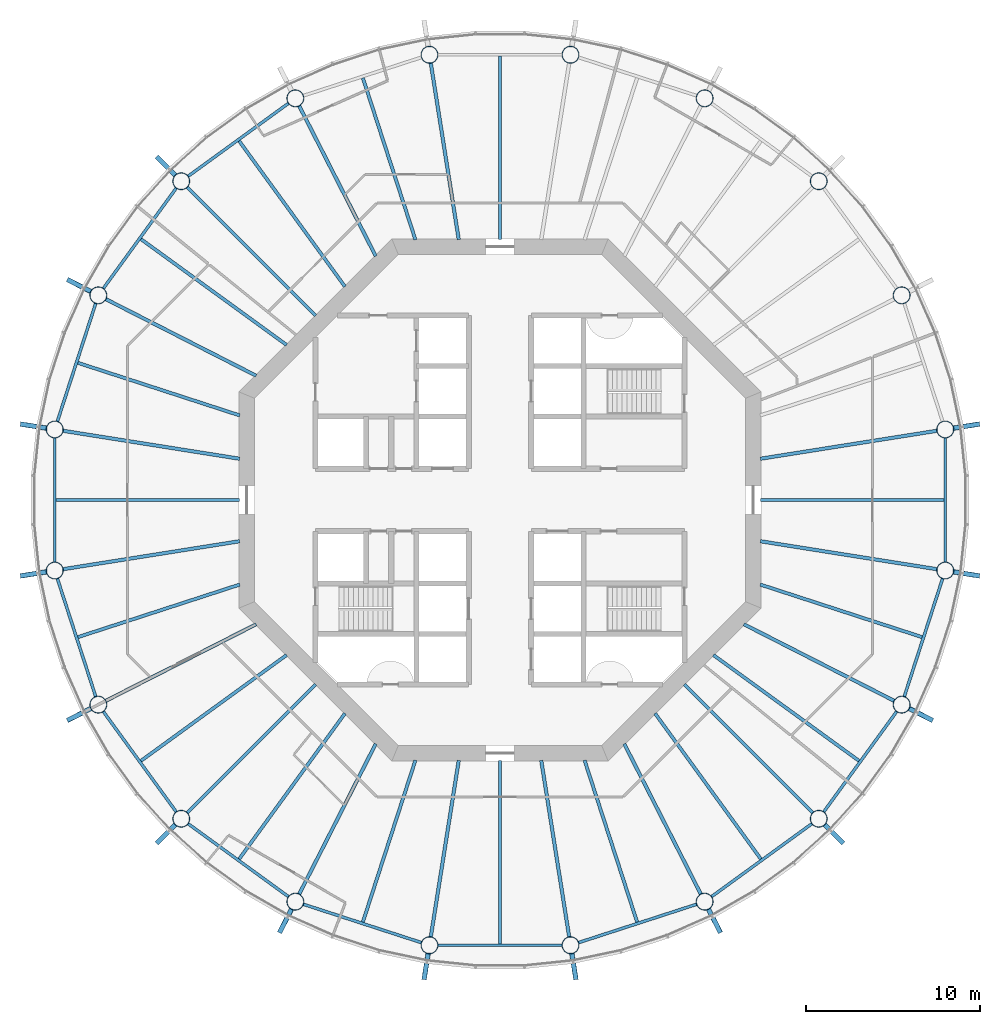
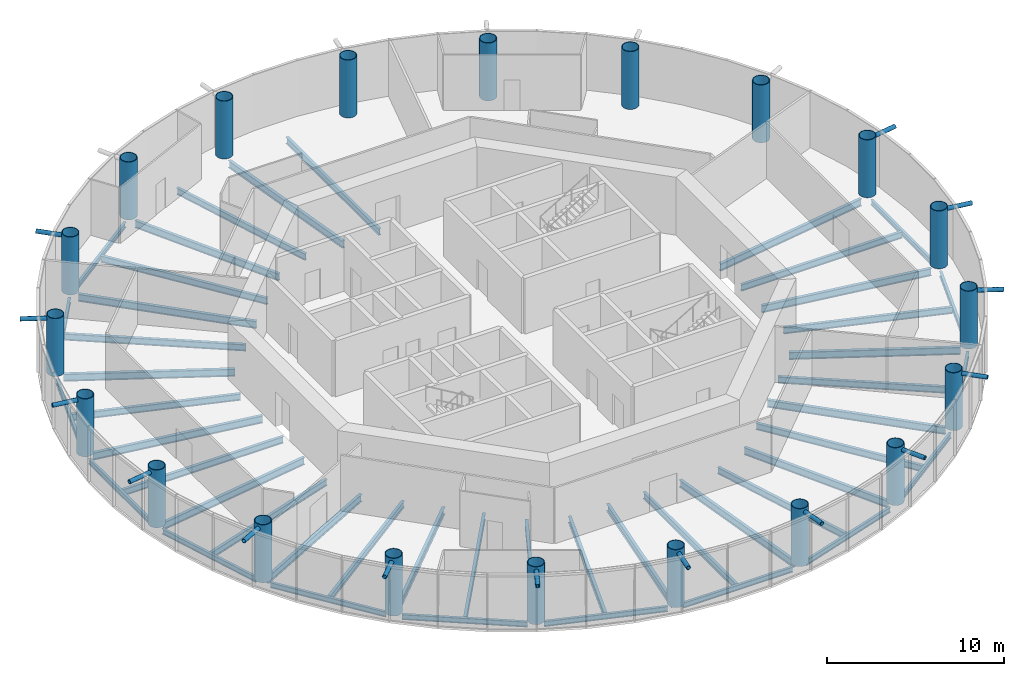
# One storey, part 1 of 12: 46 beams, 20 columns, 14 members.
"""IFC4 building model written with IfcOpenShell, lengths in metres."""

import ifcopenshell
import ifcopenshell.guid

model = None  # the IFC model being written
_history = None  # IfcOwnerHistory: only IFC2X3 demands one
_inside = {}  # id of a spatial element -> (the spatial element, [elements in it])
_under = {}  # id of a project, library or spatial element -> (it, [spatial elements below it])
_declared = {}  # id of a project -> (the project, [libraries it declares])
_typed = {}  # id of a type object -> (the type object, [elements of that type])
_made_of = {}  # id of a material, layer set ... -> (it, [elements and type objects made of it])


def new_model(schema):
    """Start an empty IFC model of exactly this schema.

    Asked for "IFC4X3", IfcOpenShell would pick the latest addendum, in which some entities
    have other attributes; the version numbers below select the first issue.
    IFC2X3 requires an IfcOwnerHistory on every rooted entity: one is made here for all.
    """
    global model, _history
    if schema == "IFC4X3":
        model = ifcopenshell.file(schema_version=(4, 3, 0, 0))
    else:
        model = ifcopenshell.file(schema=schema)
    _inside.clear()
    _under.clear()
    _declared.clear()
    _typed.clear()
    _made_of.clear()
    _history = None
    if model.schema == "IFC2X3":
        org = make("IfcOrganization", Name="unknown")
        user = make(
            "IfcPersonAndOrganization",
            ThePerson=make("IfcPerson", FamilyName="unknown"),
            TheOrganization=org,
        )
        app = make(
            "IfcApplication",
            ApplicationDeveloper=org,
            Version="unknown",
            ApplicationFullName="unknown",
            ApplicationIdentifier="unknown",
        )
        _history = make(
            "IfcOwnerHistory",
            OwningUser=user,
            OwningApplication=app,
            ChangeAction="ADDED",
            CreationDate=0,
        )
    return model


def make(cls, **values):
    """One entity of the class cls with the attributes given. An attribute that is None is left unset."""
    return model.create_entity(
        cls, **{name: value for name, value in values.items() if value is not None}
    )


def rooted(cls, **values):
    """An entity with a GlobalId (a new one), such as an element, a storey or a relation."""
    return make(cls, GlobalId=ifcopenshell.guid.new(), OwnerHistory=_history, **values)


def si_unit(unit_type, name, prefix=None):
    """IfcSIUnit, for example si_unit("LENGTHUNIT", "METRE", prefix="MILLI")."""
    return make("IfcSIUnit", UnitType=unit_type, Prefix=prefix, Name=name)


def assignment(units):
    """IfcUnitAssignment: the units of a project."""
    return None if units is None else make("IfcUnitAssignment", Units=units)


def point(xyz):
    """IfcCartesianPoint."""
    return None if xyz is None else make("IfcCartesianPoint", Coordinates=xyz)


def direction(xyz):
    """IfcDirection."""
    return None if xyz is None else make("IfcDirection", DirectionRatios=xyz)


def frame(location, z_axis=None, x_axis=None):
    """IfcAxis2Placement3D, a coordinate frame: its origin and axes. An axis left out is left unset."""
    return make(
        "IfcAxis2Placement3D",
        Location=point(location),
        Axis=direction(z_axis),
        RefDirection=direction(x_axis),
    )


def frame_2d(location, x_axis=None):
    """IfcAxis2Placement2D, a coordinate frame in the plane: its origin and x axis."""
    return make(
        "IfcAxis2Placement2D", Location=point(location), RefDirection=direction(x_axis)
    )


def origin():
    """The frame at (0, 0, 0) with its axes left unset."""
    return frame((0.0, 0.0, 0.0))


def origin_2d():
    """The frame at (0, 0) in the plane with its x axis left unset."""
    return frame_2d((0.0, 0.0))


def place(relative_to, where):
    """IfcLocalPlacement: puts the frame where relative to a parent placement (None: the world)."""
    return make(
        "IfcLocalPlacement", PlacementRelTo=relative_to, RelativePlacement=where
    )


def context(
    kind, dimensions, precision=None, world=None, true_north=None, identifier=None
):
    """IfcGeometricRepresentationContext, for example the 3D "Model" context."""
    return make(
        "IfcGeometricRepresentationContext",
        ContextIdentifier=identifier,
        ContextType=kind,
        CoordinateSpaceDimension=dimensions,
        Precision=precision,
        WorldCoordinateSystem=world,
        TrueNorth=true_north,
    )


def subcontext(parent, identifier, kind, view, scale=None):
    """IfcGeometricRepresentationSubContext, for example "Body" below "Model"."""
    return make(
        "IfcGeometricRepresentationSubContext",
        ContextIdentifier=identifier,
        ContextType=kind,
        ParentContext=parent,
        TargetScale=scale,
        TargetView=view,
    )


def project(units=None, contexts=None):
    """IfcProject with its units and contexts."""
    return rooted(
        "IfcProject",
        Name="project",
        RepresentationContexts=contexts,
        UnitsInContext=assignment(units),
    )


def spatial(cls, under=None, at=None, **own):
    """A site, building, storey or space (cls), placed at a placement, below another one or the project."""
    s = rooted(cls, ObjectPlacement=at, **own)
    if under is not None:
        _under.setdefault(under.id(), (under, []))[1].append(s)
    return s


def profile(cls, at=None, kind="AREA", **sizes):
    """A parametric profile (cls). Its sizes go by their IFC names, for example OverallWidth=200.0."""
    return make(cls, ProfileType=kind, Position=at, **sizes)


def circle(**sizes):
    """IfcCircleProfileDef."""
    return profile("IfcCircleProfileDef", **sizes)


def hollow_circle(**sizes):
    """IfcCircleHollowProfileDef."""
    return profile("IfcCircleHollowProfileDef", **sizes)


def i_section(**sizes):
    """IfcIShapeProfileDef."""
    return profile("IfcIShapeProfileDef", **sizes)


def extrude(swept, where, along, depth):
    """IfcExtrudedAreaSolid: the profile swept, set in the frame where, extruded along a direction by depth."""
    return make(
        "IfcExtrudedAreaSolid",
        SweptArea=swept,
        Position=where,
        ExtrudedDirection=direction(along),
        Depth=depth,
    )


def shape(context_of_items, identifier, shape_type, items):
    """IfcShapeRepresentation: the items that make up one representation, for example the "Body"."""
    return make(
        "IfcShapeRepresentation",
        ContextOfItems=context_of_items,
        RepresentationIdentifier=identifier,
        RepresentationType=shape_type,
        Items=items,
    )


def material(Name=None, Category=None):
    """IfcMaterial."""
    return make("IfcMaterial", Name=Name, Category=Category)


def material_profile(
    of_material, cross_section, Name=None, Category=None, Priority=None
):
    """IfcMaterialProfile: a cross section and its material."""
    return make(
        "IfcMaterialProfile",
        Name=Name,
        Material=of_material,
        Profile=cross_section,
        Priority=Priority,
        Category=Category,
    )


def profile_set(profiles, Name=None, composite=None):
    """IfcMaterialProfileSet."""
    return make(
        "IfcMaterialProfileSet",
        Name=Name,
        MaterialProfiles=profiles,
        CompositeProfile=composite,
    )


def made_of(thing, what):
    """Note that an element or type object is made of a material, layer set ...; save() writes the relation."""
    if what is not None:
        _made_of.setdefault(what.id(), (what, []))[1].append(thing)
    return thing


def type_object(cls, material=None, **own):
    """A type object (cls), such as IfcWallType, which elements share."""
    return made_of(rooted(cls, **own), material)


def element(
    cls,
    number,
    at=None,
    inside=None,
    cuts=None,
    type_object=None,
    material=None,
    context=None,
    identifier="Body",
    shape_type=None,
    held_by="IfcProductDefinitionShape",
    body=None,
    shapes=None,
    **own,
):
    """One element of the class cls, such as IfcWall. Its Tag is "e" and its number.

    at: its placement. inside: the storey or other place that contains it. cuts: it is an
    opening in that element (IfcRelVoidsElement). A single representation is given by context,
    identifier, shape_type and body (its items); several are given by shapes. held_by: the class
    of the entity that holds the representations. save() writes the other relations.
    """
    e = rooted(cls, Tag="e%d" % number, ObjectPlacement=at, **own)
    if body is not None:
        shapes = [shape(context, identifier, shape_type, body)]
    if shapes is not None:
        e.Representation = make(held_by, Representations=shapes)
    if inside is not None:
        _inside.setdefault(inside.id(), (inside, []))[1].append(e)
    if cuts is not None:
        rooted(
            "IfcRelVoidsElement", RelatingBuildingElement=cuts, RelatedOpeningElement=e
        )
    if type_object is not None:
        _typed.setdefault(type_object.id(), (type_object, []))[1].append(e)
    return made_of(e, material)


def aggregate(whole, parts):
    """IfcRelAggregates: a whole, such as a stair, and the parts it consists of."""
    return rooted("IfcRelAggregates", RelatingObject=whole, RelatedObjects=parts)


def save(model, path):
    """Write the relations noted so far, then the file.

    IfcRelAggregates (storeys below a building ...), IfcRelContainedInSpatialStructure (elements
    in a storey), IfcRelDefinesByType, IfcRelAssociatesMaterial and IfcRelDeclares: one each for
    every whole, place, type object, material and project.
    """
    for whole, parts in _under.values():
        aggregate(whole, parts)
    for where, things in _inside.values():
        rooted(
            "IfcRelContainedInSpatialStructure",
            RelatedElements=things,
            RelatingStructure=where,
        )
    for kind, things in _typed.values():
        rooted("IfcRelDefinesByType", RelatedObjects=things, RelatingType=kind)
    for what, things in _made_of.values():
        rooted("IfcRelAssociatesMaterial", RelatedObjects=things, RelatingMaterial=what)
    for by, libraries in _declared.values():
        rooted("IfcRelDeclares", RelatingContext=by, RelatedDefinitions=libraries)
    model.write(path)


model = new_model("IFC4")

# Units and contexts
model_context = context("Model", 3, precision=1e-05, world=origin(), true_north=direction((0.0, 1.0)))
body_context = subcontext(model_context, "Body", "Model", "MODEL_VIEW")
ifc_project = project(units=[si_unit("LENGTHUNIT", "METRE"), si_unit("AREAUNIT", "SQUARE_METRE"), si_unit("VOLUMEUNIT", "CUBIC_METRE"), si_unit("PLANEANGLEUNIT", "RADIAN"), si_unit("MASSUNIT", "GRAM", prefix="KILO")], contexts=[model_context])

# Site, building, storey
site_placement = place(None, origin())
site = spatial("IfcSite", under=ifc_project, at=site_placement, CompositionType="ELEMENT")
building_placement = place(site_placement, origin())
building = spatial("IfcBuilding", under=site, at=building_placement, Name="Entoto Ring Tower", CompositionType="ELEMENT")
storey_placement = place(building_placement, frame((0.0, 0.0, 214.0)))
storey = spatial("IfcBuildingStorey", under=building, at=storey_placement, Name="L49", CompositionType="ELEMENT", Elevation=214.0)

# Columns
ifc_material_1 = material(Name="Steel S355", Category="steel")
ifc_material_profile_1 = material_profile(ifc_material_1, hollow_circle(Radius=0.5, WallThickness=0.0400390625, at=origin_2d()), Name="CHS 1000 x 40")
ifc_material_2 = material(Name="Concrete C60/75", Category="concrete")
ifc_material_profile_2 = material_profile(ifc_material_2, circle(Radius=0.4599609375, at=origin_2d()), Name="Concrete C60/75 infill")
ifc_profile_set_1 = profile_set([ifc_material_profile_1, ifc_material_profile_2], Name="Steel S355")
column_type = type_object("IfcColumnType", Name="Ring column 1000 x 40 concrete-filled tube", PredefinedType="COLUMN", material=ifc_profile_set_1)
for number, where, z_axis, x_axis, name in (
    (1, (115.5810546875, 84.0517578125, 0.0), (0.0, 0.0, 1.0), (1.0, 0.0, 0.0), "RC4 R01"),
    (2, (113.0771484375, 91.75830078125, 0.0), (0.0, 0.0, 1.0), (1.0, 0.0, 0.0), "RC4 R02"),
    (3, (108.31396484375, 98.31396484375, 0.0), (0.0, 0.0, 1.0), (1.0, 0.0, 0.0), "RC4 R03"),
    (4, (101.75830078125, 103.0771484375, 0.0), (0.0, 0.0, 1.0), (1.0, 0.0, 0.0), "RC4 R04"),
    (5, (94.0517578125, 105.5810546875, 0.0), (0.0, 0.0, 1.0), (1.0, 0.0, 0.0), "RC4 R05"),
    (6, (85.9482421875, 105.5810546875, 0.0), (0.0, 0.0, 1.0), (1.0, 0.0, 0.0), "RC4 R06"),
    (7, (78.24169921875, 103.0771484375, 0.0), (0.0, 0.0, 1.0), (1.0, 0.0, 0.0), "RC4 R07"),
    (8, (71.68603515625, 98.31396484375, 0.0), (0.0, 0.0, 1.0), (1.0, 0.0, 0.0), "RC4 R08"),
    (9, (66.9228515625, 91.75830078125, 0.0), (0.0, 0.0, 1.0), (1.0, 0.0, 0.0), "RC4 R09"),
    (10, (64.4189453125, 84.0517578125, 0.0), (0.0, 0.0, 1.0), (1.0, 0.0, 0.0), "RC4 R10"),
    (11, (64.4189453125, 75.9482421875, 0.0), (0.0, 0.0, 1.0), (1.0, 0.0, 0.0), "RC4 R11"),
    (12, (66.9228515625, 68.24169921875, 0.0), (0.0, 0.0, 1.0), (1.0, 0.0, 0.0), "RC4 R12"),
    (13, (71.68603515625, 61.68603515625, 0.0), (0.0, 0.0, 1.0), (1.0, 0.0, 0.0), "RC4 R13"),
    (14, (78.24169921875, 56.9228515625, 0.0), (0.0, 0.0, 1.0), (1.0, 0.0, 0.0), "RC4 R14"),
    (15, (85.9482421875, 54.4189453125, 0.0), (0.0, 0.0, 1.0), (1.0, 0.0, 0.0), "RC4 R15"),
    (16, (94.0517578125, 54.4189453125, 0.0), (0.0, 0.0, 1.0), (1.0, 0.0, 0.0), "RC4 R16"),
    (17, (101.75830078125, 56.9228515625, 0.0), (0.0, 0.0, 1.0), (1.0, 0.0, 0.0), "RC4 R17"),
    (18, (108.31396484375, 61.68603515625, 0.0), (0.0, 0.0, 1.0), (1.0, 0.0, 0.0), "RC4 R18"),
    (19, (113.0771484375, 68.24169921875, 0.0), (0.0, 0.0, 1.0), (1.0, 0.0, 0.0), "RC4 R19"),
    (20, (115.5810546875, 75.9482421875, 0.0), (0.0, 0.0, 1.0), (1.0, 0.0, 0.0), "RC4 R20"),
):
    element("IfcColumn", number, at=place(storey_placement, frame(where, z_axis=z_axis, x_axis=x_axis)), inside=storey, type_object=column_type, Name=name, PredefinedType="COLUMN", context=body_context, shape_type="SweptSolid", body=[
        extrude(hollow_circle(Radius=0.5, WallThickness=0.0400390625, at=origin_2d()), origin(), (0.0, 0.0, 1.0), 4.0),
    ])

# Members
ifc_material_3 = material(Name="Steel S355", Category="steel")
ifc_material_profile_3 = material_profile(ifc_material_3, hollow_circle(Radius=0.136474609375, WallThickness=0.012451171875, at=origin_2d()), Name="CHS 273 x 12.5")
ifc_material_4 = material(Name="Concrete C60/75", Category="concrete")
ifc_material_profile_4 = material_profile(ifc_material_4, circle(Radius=0.1240234375, at=origin_2d()), Name="Concrete C60/75 infill")
ifc_profile_set_2 = profile_set([ifc_material_profile_3, ifc_material_profile_4], Name="Steel S355")
member_type = type_object("IfcMemberType", Name="Diagrid node strut 273 x 12.5", PredefinedType="STRUT", material=ifc_profile_set_2)
member_1_placement = place(storey_placement, frame((71.360107421875, 98.639892578125, 3.71337890625), z_axis=(-0.707106781187, 0.707106781187, 0.0), x_axis=(-0.707106781187, -0.707106781187, 0.0)))
element("IfcMember", 21, at=member_1_placement, inside=storey, type_object=member_type, Name="DS2 strut ring 15 07", PredefinedType="STRUT", context=body_context, shape_type="SweptSolid", body=[
    extrude(hollow_circle(Radius=0.136474609375, WallThickness=0.012451171875, at=origin_2d()), origin(), (0.0, 0.0, 1.0), 1.539306640625),
])
for number, where, z_axis, x_axis, name in (
    (22, (66.51220703125, 91.967529296875, 3.71337890625), (-0.891006809714, 0.453989939363, 0.0), (-0.453989939363, -0.891006809714, 0.0), "DS2 strut ring 15 08"),
    (23, (63.963623046875, 84.123779296875, 3.71337890625), (-0.987690828979, 0.156418753192, 0.0), (-0.156418753192, -0.987690828979, 0.0), "DS2 strut ring 15 09"),
    (24, (63.963623046875, 75.876220703125, 3.71337890625), (-0.987690828979, -0.156418753192, 0.0), (0.156418753192, -0.987690828979, 0.0), "DS2 strut ring 15 10"),
    (25, (66.51220703125, 68.032470703125, 3.71337890625), (-0.891006809714, -0.453989939363, 0.0), (0.453989939363, -0.891006809714, 0.0), "DS2 strut ring 15 11"),
):
    element("IfcMember", number, at=place(storey_placement, frame(where, z_axis=z_axis, x_axis=x_axis)), inside=storey, type_object=member_type, Name=name, PredefinedType="STRUT", context=body_context, shape_type="SweptSolid", body=[
        extrude(hollow_circle(Radius=0.136474609375, WallThickness=0.012451171875, at=origin_2d()), origin(), (0.0, 0.0, 1.0), 1.5390625),
    ])
member_2_placement = place(storey_placement, frame((71.360107421875, 61.360107421875, 3.71337890625), z_axis=(-0.707106781187, -0.707106781187, 0.0), x_axis=(0.707106781187, -0.707106781187, 0.0)))
element("IfcMember", 26, at=member_2_placement, inside=storey, type_object=member_type, Name="DS2 strut ring 15 12", PredefinedType="STRUT", context=body_context, shape_type="SweptSolid", body=[
    extrude(hollow_circle(Radius=0.136474609375, WallThickness=0.012451171875, at=origin_2d()), origin(), (0.0, 0.0, 1.0), 1.539306640625),
])
for number, where, z_axis, x_axis, name in (
    (27, (78.032470703125, 56.51220703125, 3.71337890625), (-0.453989939363, -0.891006809714, 0.0), (0.891006809714, -0.453989939363, 0.0), "DS2 strut ring 15 13"),
    (28, (85.876220703125, 53.963623046875, 3.71337890625), (-0.156418753192, -0.987690828979, 0.0), (0.987690828979, -0.156418753192, 0.0), "DS2 strut ring 15 14"),
    (29, (94.123779296875, 53.963623046875, 3.71337890625), (0.156418753192, -0.987690828979, 0.0), (0.987690828979, 0.156418753192, 0.0), "DS2 strut ring 15 15"),
    (30, (101.967529296875, 56.51220703125, 3.71337890625), (0.453989939363, -0.891006809714, 0.0), (0.891006809714, 0.453989939363, 0.0), "DS2 strut ring 15 16"),
):
    element("IfcMember", number, at=place(storey_placement, frame(where, z_axis=z_axis, x_axis=x_axis)), inside=storey, type_object=member_type, Name=name, PredefinedType="STRUT", context=body_context, shape_type="SweptSolid", body=[
        extrude(hollow_circle(Radius=0.136474609375, WallThickness=0.012451171875, at=origin_2d()), origin(), (0.0, 0.0, 1.0), 1.5390625),
    ])
member_3_placement = place(storey_placement, frame((108.639892578125, 61.360107421875, 3.71337890625), z_axis=(0.707106781187, -0.707106781187, 0.0), x_axis=(0.707106781187, 0.707106781187, 0.0)))
element("IfcMember", 31, at=member_3_placement, inside=storey, type_object=member_type, Name="DS2 strut ring 15 17", PredefinedType="STRUT", context=body_context, shape_type="SweptSolid", body=[
    extrude(hollow_circle(Radius=0.136474609375, WallThickness=0.012451171875, at=origin_2d()), origin(), (0.0, 0.0, 1.0), 1.539306640625),
])
for number, where, z_axis, x_axis, name in (
    (32, (113.48779296875, 68.032470703125, 3.71337890625), (0.891006809714, -0.453989939363, 0.0), (0.453989939363, 0.891006809714, 0.0), "DS2 strut ring 15 18"),
    (33, (116.036376953125, 75.876220703125, 3.71337890625), (0.987690828979, -0.156418753192, 0.0), (0.156418753192, 0.987690828979, 0.0), "DS2 strut ring 15 19"),
    (34, (116.036376953125, 84.123779296875, 3.71337890625), (0.987690828979, 0.156418753192, 0.0), (-0.156418753192, 0.987690828979, 0.0), "DS2 strut ring 15 20"),
):
    element("IfcMember", number, at=place(storey_placement, frame(where, z_axis=z_axis, x_axis=x_axis)), inside=storey, type_object=member_type, Name=name, PredefinedType="STRUT", context=body_context, shape_type="SweptSolid", body=[
        extrude(hollow_circle(Radius=0.136474609375, WallThickness=0.012451171875, at=origin_2d()), origin(), (0.0, 0.0, 1.0), 1.5390625),
    ])

# Beams
ifc_material_5 = material(Name="Steel S355", Category="steel")
ifc_material_profile_5 = material_profile(ifc_material_5, i_section(OverallWidth=0.169921875, OverallDepth=0.360107421875, WebThickness=0.008056640625, FlangeThickness=0.0126953125, FilletRadius=0.01806640625, at=origin_2d()), Name="IPE 360")
ifc_profile_set_3 = profile_set([ifc_material_profile_5], Name="Steel S355")
beam_type_1 = type_object("IfcBeamType", Name="Edge beam IPE 360", PredefinedType="SPANDREL", material=ifc_profile_set_3)
for number, where, z_axis, x_axis, name in (
    (35, (77.859375, 102.79931640625, -0.330078125), (-0.809010324619, -0.587794432314, 0.0), (0.587794432314, -0.809010324619, 0.0), "Edge beam L49 07"),
    (36, (71.408203125, 97.931640625, -0.330078125), (-0.587794432314, -0.809010324619, 0.0), (0.809010324619, -0.587794432314, 0.0), "Edge beam L49 08"),
):
    element("IfcBeam", number, at=place(storey_placement, frame(where, z_axis=z_axis, x_axis=x_axis)), inside=storey, type_object=beam_type_1, Name=name, PredefinedType="SPANDREL", context=body_context, shape_type="SweptSolid", body=[
        extrude(i_section(OverallWidth=0.169921875, OverallDepth=0.360107421875, WebThickness=0.008056640625, FlangeThickness=0.0126953125, FilletRadius=0.01806640625, at=origin_2d()), origin(), (0.0, 0.0, 1.0), 7.158203125),
    ])
beam_1_placement = place(storey_placement, frame((66.77685546875, 91.308837890625, -0.330078125), z_axis=(-0.309015118354, -0.951057125849, 0.0), x_axis=(0.951057125849, -0.309015118354, 0.0)))
element("IfcBeam", 37, at=beam_1_placement, inside=storey, type_object=beam_type_1, Name="Edge beam L49 09", PredefinedType="SPANDREL", context=body_context, shape_type="SweptSolid", body=[
    extrude(i_section(OverallWidth=0.169921875, OverallDepth=0.360107421875, WebThickness=0.008056640625, FlangeThickness=0.0126953125, FilletRadius=0.01806640625, at=origin_2d()), origin(), (0.0, 0.0, 1.0), 7.157958984375),
])
beam_2_placement = place(storey_placement, frame((64.4189453125, 83.5791015625, -0.330078125), z_axis=(0.0, -1.0, 0.0), x_axis=(1.0, 0.0, 0.0)))
element("IfcBeam", 38, at=beam_2_placement, inside=storey, type_object=beam_type_1, Name="Edge beam L49 10", PredefinedType="SPANDREL", context=body_context, shape_type="SweptSolid", body=[
    extrude(i_section(OverallWidth=0.169921875, OverallDepth=0.360107421875, WebThickness=0.008056640625, FlangeThickness=0.0126953125, FilletRadius=0.01806640625, at=origin_2d()), origin(), (0.0, 0.0, 1.0), 7.158203125),
])
beam_3_placement = place(storey_placement, frame((64.56494140625, 75.498779296875, -0.330078125), z_axis=(0.309015118354, -0.951057125849, 0.0), x_axis=(0.951057125849, 0.309015118354, 0.0)))
element("IfcBeam", 39, at=beam_3_placement, inside=storey, type_object=beam_type_1, Name="Edge beam L49 11", PredefinedType="SPANDREL", context=body_context, shape_type="SweptSolid", body=[
    extrude(i_section(OverallWidth=0.169921875, OverallDepth=0.360107421875, WebThickness=0.008056640625, FlangeThickness=0.0126953125, FilletRadius=0.01806640625, at=origin_2d()), origin(), (0.0, 0.0, 1.0), 7.157958984375),
])
for number, where, z_axis, x_axis, name in (
    (40, (67.20068359375, 67.859375, -0.330078125), (0.587794432314, -0.809010324619, 0.0), (0.809010324619, 0.587794432314, 0.0), "Edge beam L49 12"),
    (41, (72.068359375, 61.408203125, -0.330078125), (0.809010324619, -0.587794432314, 0.0), (0.587794432314, 0.809010324619, 0.0), "Edge beam L49 13"),
):
    element("IfcBeam", number, at=place(storey_placement, frame(where, z_axis=z_axis, x_axis=x_axis)), inside=storey, type_object=beam_type_1, Name=name, PredefinedType="SPANDREL", context=body_context, shape_type="SweptSolid", body=[
        extrude(i_section(OverallWidth=0.169921875, OverallDepth=0.360107421875, WebThickness=0.008056640625, FlangeThickness=0.0126953125, FilletRadius=0.01806640625, at=origin_2d()), origin(), (0.0, 0.0, 1.0), 7.158203125),
    ])
beam_4_placement = place(storey_placement, frame((78.691162109375, 56.77685546875, -0.330078125), z_axis=(0.951057125849, -0.309015118354, 0.0), x_axis=(0.309015118354, 0.951057125849, 0.0)))
element("IfcBeam", 42, at=beam_4_placement, inside=storey, type_object=beam_type_1, Name="Edge beam L49 14", PredefinedType="SPANDREL", context=body_context, shape_type="SweptSolid", body=[
    extrude(i_section(OverallWidth=0.169921875, OverallDepth=0.360107421875, WebThickness=0.008056640625, FlangeThickness=0.0126953125, FilletRadius=0.01806640625, at=origin_2d()), origin(), (0.0, 0.0, 1.0), 7.157958984375),
])
beam_5_placement = place(storey_placement, frame((86.4208984375, 54.4189453125, -0.330078125), z_axis=(1.0, 0.0, 0.0), x_axis=(0.0, 1.0, 0.0)))
element("IfcBeam", 43, at=beam_5_placement, inside=storey, type_object=beam_type_1, Name="Edge beam L49 15", PredefinedType="SPANDREL", context=body_context, shape_type="SweptSolid", body=[
    extrude(i_section(OverallWidth=0.169921875, OverallDepth=0.360107421875, WebThickness=0.008056640625, FlangeThickness=0.0126953125, FilletRadius=0.01806640625, at=origin_2d()), origin(), (0.0, 0.0, 1.0), 7.158203125),
])
beam_6_placement = place(storey_placement, frame((94.501220703125, 54.56494140625, -0.330078125), z_axis=(0.951057125849, 0.309015118354, 0.0), x_axis=(-0.309015118354, 0.951057125849, 0.0)))
element("IfcBeam", 44, at=beam_6_placement, inside=storey, type_object=beam_type_1, Name="Edge beam L49 16", PredefinedType="SPANDREL", context=body_context, shape_type="SweptSolid", body=[
    extrude(i_section(OverallWidth=0.169921875, OverallDepth=0.360107421875, WebThickness=0.008056640625, FlangeThickness=0.0126953125, FilletRadius=0.01806640625, at=origin_2d()), origin(), (0.0, 0.0, 1.0), 7.157958984375),
])
for number, where, z_axis, x_axis, name in (
    (45, (102.140625, 57.20068359375, -0.330078125), (0.809010324619, 0.587794432314, 0.0), (-0.587794432314, 0.809010324619, 0.0), "Edge beam L49 17"),
    (46, (108.591796875, 62.068359375, -0.330078125), (0.587794432314, 0.809010324619, 0.0), (-0.809010324619, 0.587794432314, 0.0), "Edge beam L49 18"),
):
    element("IfcBeam", number, at=place(storey_placement, frame(where, z_axis=z_axis, x_axis=x_axis)), inside=storey, type_object=beam_type_1, Name=name, PredefinedType="SPANDREL", context=body_context, shape_type="SweptSolid", body=[
        extrude(i_section(OverallWidth=0.169921875, OverallDepth=0.360107421875, WebThickness=0.008056640625, FlangeThickness=0.0126953125, FilletRadius=0.01806640625, at=origin_2d()), origin(), (0.0, 0.0, 1.0), 7.158203125),
    ])
beam_7_placement = place(storey_placement, frame((113.22314453125, 68.691162109375, -0.330078125), z_axis=(0.309015118354, 0.951057125849, 0.0), x_axis=(-0.951057125849, 0.309015118354, 0.0)))
element("IfcBeam", 47, at=beam_7_placement, inside=storey, type_object=beam_type_1, Name="Edge beam L49 19", PredefinedType="SPANDREL", context=body_context, shape_type="SweptSolid", body=[
    extrude(i_section(OverallWidth=0.169921875, OverallDepth=0.360107421875, WebThickness=0.008056640625, FlangeThickness=0.0126953125, FilletRadius=0.01806640625, at=origin_2d()), origin(), (0.0, 0.0, 1.0), 7.157958984375),
])
beam_8_placement = place(storey_placement, frame((115.5810546875, 76.4208984375, -0.330078125), z_axis=(0.0, 1.0, 0.0), x_axis=(-1.0, 0.0, 0.0)))
element("IfcBeam", 48, at=beam_8_placement, inside=storey, type_object=beam_type_1, Name="Edge beam L49 20", PredefinedType="SPANDREL", context=body_context, shape_type="SweptSolid", body=[
    extrude(i_section(OverallWidth=0.169921875, OverallDepth=0.360107421875, WebThickness=0.008056640625, FlangeThickness=0.0126953125, FilletRadius=0.01806640625, at=origin_2d()), origin(), (0.0, 0.0, 1.0), 7.158203125),
])
ifc_material_6 = material(Name="Steel S355", Category="steel")
ifc_material_profile_6 = material_profile(ifc_material_6, i_section(OverallWidth=0.199951171875, OverallDepth=0.5, WebThickness=0.01025390625, FlangeThickness=0.01611328125, FilletRadius=0.02099609375, at=origin_2d()), Name="IPE 500")
ifc_profile_set_4 = profile_set([ifc_material_profile_6], Name="Steel S355")
beam_type_2 = type_object("IfcBeamType", Name="Primary floor beam IPE 500", PredefinedType="BEAM", material=ifc_profile_set_4)
for number, where, z_axis, x_axis, name in (
    (49, (104.964599609375, 82.3701171875, -0.39990234375), (0.987685619518, 0.156451644281, 0.0), (-0.156451644281, 0.987685619518, 0.0), "Primary L49 R01"),
    (50, (87.6298828125, 94.964599609375, -0.39990234375), (-0.156451644281, 0.987685619518, 0.0), (-0.987685619518, -0.156451644281, 0.0), "Primary L49 R06"),
):
    element("IfcBeam", number, at=place(storey_placement, frame(where, z_axis=z_axis, x_axis=x_axis)), inside=storey, type_object=beam_type_2, Name=name, PredefinedType="BEAM", context=body_context, shape_type="SweptSolid", body=[
        extrude(i_section(OverallWidth=0.199951171875, OverallDepth=0.5, WebThickness=0.01025390625, FlangeThickness=0.01611328125, FilletRadius=0.02099609375, at=origin_2d()), origin(), (0.0, 0.0, 1.0), 10.27880859375),
    ])
beam_9_placement = place(storey_placement, frame((82.863525390625, 94.006103515625, -0.39990234375), z_axis=(-0.45397888461, 0.891012442297, 0.0), x_axis=(-0.891012442297, -0.45397888461, 0.0)))
element("IfcBeam", 51, at=beam_9_placement, inside=storey, type_object=beam_type_2, Name="Primary L49 R07", PredefinedType="BEAM", context=body_context, shape_type="SweptSolid", body=[
    extrude(i_section(OverallWidth=0.199951171875, OverallDepth=0.5, WebThickness=0.01025390625, FlangeThickness=0.01611328125, FilletRadius=0.02099609375, at=origin_2d()), origin(), (0.0, 0.0, 1.0), 9.710693359375),
])
beam_10_placement = place(storey_placement, frame((79.407470703125, 90.592529296875, -0.39990234375), z_axis=(-0.707106781187, 0.707106781187, 0.0), x_axis=(-0.707106781187, -0.707106781187, 0.0)))
element("IfcBeam", 52, at=beam_10_placement, inside=storey, type_object=beam_type_2, Name="Primary L49 R08", PredefinedType="BEAM", context=body_context, shape_type="SweptSolid", body=[
    extrude(i_section(OverallWidth=0.199951171875, OverallDepth=0.5, WebThickness=0.01025390625, FlangeThickness=0.01611328125, FilletRadius=0.02099609375, at=origin_2d()), origin(), (0.0, 0.0, 1.0), 10.4501953125),
])
beam_11_placement = place(storey_placement, frame((75.993896484375, 87.136474609375, -0.39990234375), z_axis=(-0.891012442297, 0.45397888461, 0.0), x_axis=(-0.45397888461, -0.891012442297, 0.0)))
element("IfcBeam", 53, at=beam_11_placement, inside=storey, type_object=beam_type_2, Name="Primary L49 R09", PredefinedType="BEAM", context=body_context, shape_type="SweptSolid", body=[
    extrude(i_section(OverallWidth=0.199951171875, OverallDepth=0.5, WebThickness=0.01025390625, FlangeThickness=0.01611328125, FilletRadius=0.02099609375, at=origin_2d()), origin(), (0.0, 0.0, 1.0), 9.710693359375),
])
for number, where, z_axis, x_axis, name in (
    (54, (75.035400390625, 82.3701171875, -0.39990234375), (-0.987685619518, 0.156451644281, 0.0), (-0.156451644281, -0.987685619518, 0.0), "Primary L49 R10"),
    (55, (75.035400390625, 77.6298828125, -0.39990234375), (-0.987685619518, -0.156451644281, 0.0), (0.156451644281, -0.987685619518, 0.0), "Primary L49 R11"),
):
    element("IfcBeam", number, at=place(storey_placement, frame(where, z_axis=z_axis, x_axis=x_axis)), inside=storey, type_object=beam_type_2, Name=name, PredefinedType="BEAM", context=body_context, shape_type="SweptSolid", body=[
        extrude(i_section(OverallWidth=0.199951171875, OverallDepth=0.5, WebThickness=0.01025390625, FlangeThickness=0.01611328125, FilletRadius=0.02099609375, at=origin_2d()), origin(), (0.0, 0.0, 1.0), 10.27880859375),
    ])
beam_12_placement = place(storey_placement, frame((75.993896484375, 72.863525390625, -0.39990234375), z_axis=(-0.891012442297, -0.45397888461, 0.0), x_axis=(0.45397888461, -0.891012442297, 0.0)))
element("IfcBeam", 56, at=beam_12_placement, inside=storey, type_object=beam_type_2, Name="Primary L49 R12", PredefinedType="BEAM", context=body_context, shape_type="SweptSolid", body=[
    extrude(i_section(OverallWidth=0.199951171875, OverallDepth=0.5, WebThickness=0.01025390625, FlangeThickness=0.01611328125, FilletRadius=0.02099609375, at=origin_2d()), origin(), (0.0, 0.0, 1.0), 9.710693359375),
])
beam_13_placement = place(storey_placement, frame((79.407470703125, 69.407470703125, -0.39990234375), z_axis=(-0.707106781187, -0.707106781187, 0.0), x_axis=(0.707106781187, -0.707106781187, 0.0)))
element("IfcBeam", 57, at=beam_13_placement, inside=storey, type_object=beam_type_2, Name="Primary L49 R13", PredefinedType="BEAM", context=body_context, shape_type="SweptSolid", body=[
    extrude(i_section(OverallWidth=0.199951171875, OverallDepth=0.5, WebThickness=0.01025390625, FlangeThickness=0.01611328125, FilletRadius=0.02099609375, at=origin_2d()), origin(), (0.0, 0.0, 1.0), 10.4501953125),
])
beam_14_placement = place(storey_placement, frame((82.863525390625, 65.993896484375, -0.39990234375), z_axis=(-0.45397888461, -0.891012442297, 0.0), x_axis=(0.891012442297, -0.45397888461, 0.0)))
element("IfcBeam", 58, at=beam_14_placement, inside=storey, type_object=beam_type_2, Name="Primary L49 R14", PredefinedType="BEAM", context=body_context, shape_type="SweptSolid", body=[
    extrude(i_section(OverallWidth=0.199951171875, OverallDepth=0.5, WebThickness=0.01025390625, FlangeThickness=0.01611328125, FilletRadius=0.02099609375, at=origin_2d()), origin(), (0.0, 0.0, 1.0), 9.710693359375),
])
for number, where, z_axis, x_axis, name in (
    (59, (87.6298828125, 65.035400390625, -0.39990234375), (-0.156451644281, -0.987685619518, 0.0), (0.987685619518, -0.156451644281, 0.0), "Primary L49 R15"),
    (60, (92.3701171875, 65.035400390625, -0.39990234375), (0.156451644281, -0.987685619518, 0.0), (0.987685619518, 0.156451644281, 0.0), "Primary L49 R16"),
):
    element("IfcBeam", number, at=place(storey_placement, frame(where, z_axis=z_axis, x_axis=x_axis)), inside=storey, type_object=beam_type_2, Name=name, PredefinedType="BEAM", context=body_context, shape_type="SweptSolid", body=[
        extrude(i_section(OverallWidth=0.199951171875, OverallDepth=0.5, WebThickness=0.01025390625, FlangeThickness=0.01611328125, FilletRadius=0.02099609375, at=origin_2d()), origin(), (0.0, 0.0, 1.0), 10.27880859375),
    ])
beam_15_placement = place(storey_placement, frame((97.136474609375, 65.993896484375, -0.39990234375), z_axis=(0.45397888461, -0.891012442297, 0.0), x_axis=(0.891012442297, 0.45397888461, 0.0)))
element("IfcBeam", 61, at=beam_15_placement, inside=storey, type_object=beam_type_2, Name="Primary L49 R17", PredefinedType="BEAM", context=body_context, shape_type="SweptSolid", body=[
    extrude(i_section(OverallWidth=0.199951171875, OverallDepth=0.5, WebThickness=0.01025390625, FlangeThickness=0.01611328125, FilletRadius=0.02099609375, at=origin_2d()), origin(), (0.0, 0.0, 1.0), 9.710693359375),
])
beam_16_placement = place(storey_placement, frame((100.592529296875, 69.407470703125, -0.39990234375), z_axis=(0.707106781187, -0.707106781187, 0.0), x_axis=(0.707106781187, 0.707106781187, 0.0)))
element("IfcBeam", 62, at=beam_16_placement, inside=storey, type_object=beam_type_2, Name="Primary L49 R18", PredefinedType="BEAM", context=body_context, shape_type="SweptSolid", body=[
    extrude(i_section(OverallWidth=0.199951171875, OverallDepth=0.5, WebThickness=0.01025390625, FlangeThickness=0.01611328125, FilletRadius=0.02099609375, at=origin_2d()), origin(), (0.0, 0.0, 1.0), 10.4501953125),
])
beam_17_placement = place(storey_placement, frame((104.006103515625, 72.863525390625, -0.39990234375), z_axis=(0.891012442297, -0.45397888461, 0.0), x_axis=(0.45397888461, 0.891012442297, 0.0)))
element("IfcBeam", 63, at=beam_17_placement, inside=storey, type_object=beam_type_2, Name="Primary L49 R19", PredefinedType="BEAM", context=body_context, shape_type="SweptSolid", body=[
    extrude(i_section(OverallWidth=0.199951171875, OverallDepth=0.5, WebThickness=0.01025390625, FlangeThickness=0.01611328125, FilletRadius=0.02099609375, at=origin_2d()), origin(), (0.0, 0.0, 1.0), 9.710693359375),
])
beam_18_placement = place(storey_placement, frame((104.964599609375, 77.6298828125, -0.39990234375), z_axis=(0.987685619518, -0.156451644281, 0.0), x_axis=(0.156451644281, 0.987685619518, 0.0)))
element("IfcBeam", 64, at=beam_18_placement, inside=storey, type_object=beam_type_2, Name="Primary L49 R20", PredefinedType="BEAM", context=body_context, shape_type="SweptSolid", body=[
    extrude(i_section(OverallWidth=0.199951171875, OverallDepth=0.5, WebThickness=0.01025390625, FlangeThickness=0.01611328125, FilletRadius=0.02099609375, at=origin_2d()), origin(), (0.0, 0.0, 1.0), 10.27880859375),
])
ifc_material_7 = material(Name="Steel S355", Category="steel")
ifc_material_profile_7 = material_profile(ifc_material_7, i_section(OverallWidth=0.18994140625, OverallDepth=0.449951171875, WebThickness=0.009521484375, FlangeThickness=0.0146484375, FilletRadius=0.02099609375, at=origin_2d()), Name="IPE 450")
ifc_profile_set_5 = profile_set([ifc_material_profile_7], Name="Steel S355")
beam_type_3 = type_object("IfcBeamType", Name="Secondary floor beam IPE 450", PredefinedType="JOIST", material=ifc_profile_set_5)
beam_19_placement = place(storey_placement, frame((90.0, 94.97998046875, -0.375), z_axis=(0.0, 1.0, 0.0), x_axis=(-1.0, 0.0, 0.0)))
element("IfcBeam", 65, at=beam_19_placement, inside=storey, type_object=beam_type_3, Name="Secondary beam L49 05", PredefinedType="JOIST", context=body_context, shape_type="SweptSolid", body=[
    extrude(i_section(OverallWidth=0.18994140625, OverallDepth=0.449951171875, WebThickness=0.009521484375, FlangeThickness=0.0146484375, FilletRadius=0.02099609375, at=origin_2d()), origin(), (0.0, 0.0, 1.0), 10.51611328125),
])
beam_20_placement = place(storey_placement, frame((85.141845703125, 94.95166015625, -0.375), z_axis=(-0.309003053144, 0.951061045963, 0.0), x_axis=(-0.951061045963, -0.309003053144, 0.0)))
element("IfcBeam", 66, at=beam_20_placement, inside=storey, type_object=beam_type_3, Name="Secondary beam L49 06", PredefinedType="JOIST", context=body_context, shape_type="SweptSolid", body=[
    extrude(i_section(OverallWidth=0.18994140625, OverallDepth=0.449951171875, WebThickness=0.009521484375, FlangeThickness=0.0146484375, FilletRadius=0.02099609375, at=origin_2d()), origin(), (0.0, 0.0, 1.0), 9.77490234375),
])
for number, where, z_axis, x_axis, name in (
    (67, (81.093994140625, 92.258056640625, -0.375), (-0.58779413796, 0.809010538485, 0.0), (-0.809010538485, -0.58779413796, 0.0), "Secondary beam L49 07"),
    (68, (77.741943359375, 88.906005859375, -0.375), (-0.809010538485, 0.58779413796, 0.0), (-0.58779413796, -0.809010538485, 0.0), "Secondary beam L49 08"),
):
    element("IfcBeam", number, at=place(storey_placement, frame(where, z_axis=z_axis, x_axis=x_axis)), inside=storey, type_object=beam_type_3, Name=name, PredefinedType="JOIST", context=body_context, shape_type="SweptSolid", body=[
        extrude(i_section(OverallWidth=0.18994140625, OverallDepth=0.449951171875, WebThickness=0.009521484375, FlangeThickness=0.0146484375, FilletRadius=0.02099609375, at=origin_2d()), origin(), (0.0, 0.0, 1.0), 10.34423828125),
    ])
beam_21_placement = place(storey_placement, frame((75.04833984375, 84.858154296875, -0.375), z_axis=(-0.951061045963, 0.309003053144, 0.0), x_axis=(-0.309003053144, -0.951061045963, 0.0)))
element("IfcBeam", 69, at=beam_21_placement, inside=storey, type_object=beam_type_3, Name="Secondary beam L49 09", PredefinedType="JOIST", context=body_context, shape_type="SweptSolid", body=[
    extrude(i_section(OverallWidth=0.18994140625, OverallDepth=0.449951171875, WebThickness=0.009521484375, FlangeThickness=0.0146484375, FilletRadius=0.02099609375, at=origin_2d()), origin(), (0.0, 0.0, 1.0), 9.77490234375),
])
beam_22_placement = place(storey_placement, frame((75.02001953125, 80.0, -0.375), z_axis=(-1.0, 0.0, 0.0), x_axis=(0.0, -1.0, 0.0)))
element("IfcBeam", 70, at=beam_22_placement, inside=storey, type_object=beam_type_3, Name="Secondary beam L49 10", PredefinedType="JOIST", context=body_context, shape_type="SweptSolid", body=[
    extrude(i_section(OverallWidth=0.18994140625, OverallDepth=0.449951171875, WebThickness=0.009521484375, FlangeThickness=0.0146484375, FilletRadius=0.02099609375, at=origin_2d()), origin(), (0.0, 0.0, 1.0), 10.51611328125),
])
beam_23_placement = place(storey_placement, frame((75.04833984375, 75.141845703125, -0.375), z_axis=(-0.951061045963, -0.309003053144, 0.0), x_axis=(0.309003053144, -0.951061045963, 0.0)))
element("IfcBeam", 71, at=beam_23_placement, inside=storey, type_object=beam_type_3, Name="Secondary beam L49 11", PredefinedType="JOIST", context=body_context, shape_type="SweptSolid", body=[
    extrude(i_section(OverallWidth=0.18994140625, OverallDepth=0.449951171875, WebThickness=0.009521484375, FlangeThickness=0.0146484375, FilletRadius=0.02099609375, at=origin_2d()), origin(), (0.0, 0.0, 1.0), 9.77490234375),
])
for number, where, z_axis, x_axis, name in (
    (72, (77.741943359375, 71.093994140625, -0.375), (-0.809010538485, -0.58779413796, 0.0), (0.58779413796, -0.809010538485, 0.0), "Secondary beam L49 12"),
    (73, (81.093994140625, 67.741943359375, -0.375), (-0.58779413796, -0.809010538485, 0.0), (0.809010538485, -0.58779413796, 0.0), "Secondary beam L49 13"),
):
    element("IfcBeam", number, at=place(storey_placement, frame(where, z_axis=z_axis, x_axis=x_axis)), inside=storey, type_object=beam_type_3, Name=name, PredefinedType="JOIST", context=body_context, shape_type="SweptSolid", body=[
        extrude(i_section(OverallWidth=0.18994140625, OverallDepth=0.449951171875, WebThickness=0.009521484375, FlangeThickness=0.0146484375, FilletRadius=0.02099609375, at=origin_2d()), origin(), (0.0, 0.0, 1.0), 10.34423828125),
    ])
beam_24_placement = place(storey_placement, frame((85.141845703125, 65.04833984375, -0.375), z_axis=(-0.309003053144, -0.951061045963, 0.0), x_axis=(0.951061045963, -0.309003053144, 0.0)))
element("IfcBeam", 74, at=beam_24_placement, inside=storey, type_object=beam_type_3, Name="Secondary beam L49 14", PredefinedType="JOIST", context=body_context, shape_type="SweptSolid", body=[
    extrude(i_section(OverallWidth=0.18994140625, OverallDepth=0.449951171875, WebThickness=0.009521484375, FlangeThickness=0.0146484375, FilletRadius=0.02099609375, at=origin_2d()), origin(), (0.0, 0.0, 1.0), 9.77490234375),
])
beam_25_placement = place(storey_placement, frame((90.0, 65.02001953125, -0.375), z_axis=(0.0, -1.0, 0.0), x_axis=(1.0, 0.0, 0.0)))
element("IfcBeam", 75, at=beam_25_placement, inside=storey, type_object=beam_type_3, Name="Secondary beam L49 15", PredefinedType="JOIST", context=body_context, shape_type="SweptSolid", body=[
    extrude(i_section(OverallWidth=0.18994140625, OverallDepth=0.449951171875, WebThickness=0.009521484375, FlangeThickness=0.0146484375, FilletRadius=0.02099609375, at=origin_2d()), origin(), (0.0, 0.0, 1.0), 10.51611328125),
])
beam_26_placement = place(storey_placement, frame((94.858154296875, 65.04833984375, -0.375), z_axis=(0.309003053144, -0.951061045963, 0.0), x_axis=(0.951061045963, 0.309003053144, 0.0)))
element("IfcBeam", 76, at=beam_26_placement, inside=storey, type_object=beam_type_3, Name="Secondary beam L49 16", PredefinedType="JOIST", context=body_context, shape_type="SweptSolid", body=[
    extrude(i_section(OverallWidth=0.18994140625, OverallDepth=0.449951171875, WebThickness=0.009521484375, FlangeThickness=0.0146484375, FilletRadius=0.02099609375, at=origin_2d()), origin(), (0.0, 0.0, 1.0), 9.77490234375),
])
for number, where, z_axis, x_axis, name in (
    (77, (98.906005859375, 67.741943359375, -0.375), (0.58779413796, -0.809010538485, 0.0), (0.809010538485, 0.58779413796, 0.0), "Secondary beam L49 17"),
    (78, (102.258056640625, 71.093994140625, -0.375), (0.809010538485, -0.58779413796, 0.0), (0.58779413796, 0.809010538485, 0.0), "Secondary beam L49 18"),
):
    element("IfcBeam", number, at=place(storey_placement, frame(where, z_axis=z_axis, x_axis=x_axis)), inside=storey, type_object=beam_type_3, Name=name, PredefinedType="JOIST", context=body_context, shape_type="SweptSolid", body=[
        extrude(i_section(OverallWidth=0.18994140625, OverallDepth=0.449951171875, WebThickness=0.009521484375, FlangeThickness=0.0146484375, FilletRadius=0.02099609375, at=origin_2d()), origin(), (0.0, 0.0, 1.0), 10.34423828125),
    ])
beam_27_placement = place(storey_placement, frame((104.95166015625, 75.141845703125, -0.375), z_axis=(0.951061045963, -0.309003053144, 0.0), x_axis=(0.309003053144, 0.951061045963, 0.0)))
element("IfcBeam", 79, at=beam_27_placement, inside=storey, type_object=beam_type_3, Name="Secondary beam L49 19", PredefinedType="JOIST", context=body_context, shape_type="SweptSolid", body=[
    extrude(i_section(OverallWidth=0.18994140625, OverallDepth=0.449951171875, WebThickness=0.009521484375, FlangeThickness=0.0146484375, FilletRadius=0.02099609375, at=origin_2d()), origin(), (0.0, 0.0, 1.0), 9.77490234375),
])
beam_28_placement = place(storey_placement, frame((104.97998046875, 80.0, -0.375), z_axis=(1.0, 0.0, 0.0), x_axis=(0.0, 1.0, 0.0)))
element("IfcBeam", 80, at=beam_28_placement, inside=storey, type_object=beam_type_3, Name="Secondary beam L49 20", PredefinedType="JOIST", context=body_context, shape_type="SweptSolid", body=[
    extrude(i_section(OverallWidth=0.18994140625, OverallDepth=0.449951171875, WebThickness=0.009521484375, FlangeThickness=0.0146484375, FilletRadius=0.02099609375, at=origin_2d()), origin(), (0.0, 0.0, 1.0), 10.51611328125),
])

save(model, "model.ifc")
